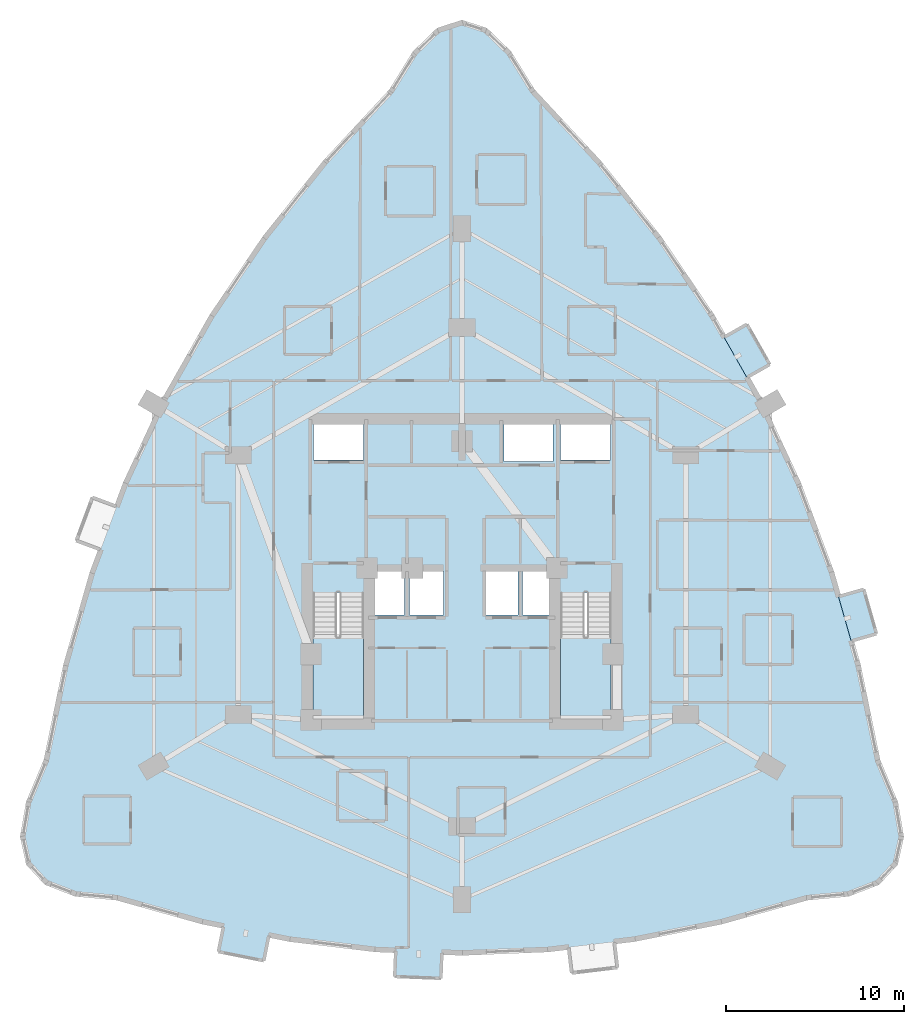
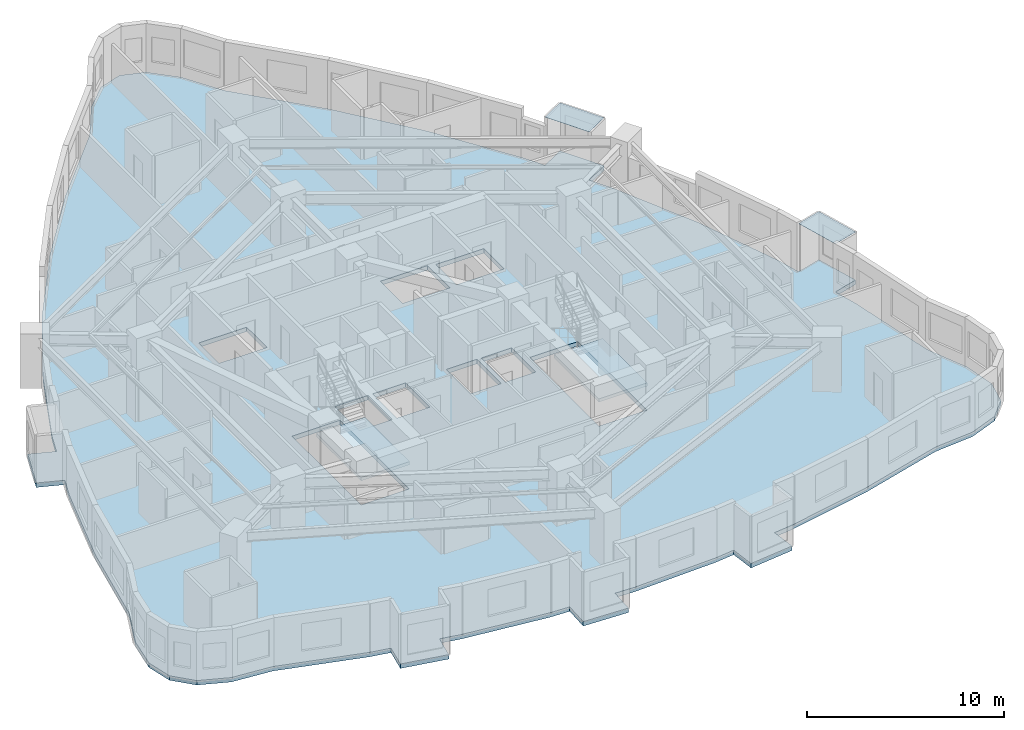
# One storey, part 4 of 13: 3 slabs, 2 plates, 2 elements without a shape of their own.
"""IFC4 building model written with IfcOpenShell, lengths in metres."""

from ifc_helpers import new_model, si_unit, direction, frame, origin, place, context, subcontext, project, spatial, polyline, outline, extrude, material, layer, layer_set, type_object, element, aggregate, save


model = new_model("IFC4")

# Units and contexts
model_context = context("Model", 3, precision=1e-05, world=origin(), true_north=direction((0.0, 1.0)))
body_context = subcontext(model_context, "Body", "Model", "MODEL_VIEW")
ifc_project = project(units=[si_unit("LENGTHUNIT", "METRE"), si_unit("AREAUNIT", "SQUARE_METRE"), si_unit("VOLUMEUNIT", "CUBIC_METRE"), si_unit("PLANEANGLEUNIT", "RADIAN"), si_unit("MASSUNIT", "GRAM", prefix="KILO")], contexts=[model_context])

# Site, building, storey
site_placement = place(None, origin())
site = spatial("IfcSite", under=ifc_project, at=site_placement, CompositionType="ELEMENT")
building_placement = place(site_placement, origin())
building = spatial("IfcBuilding", under=site, at=building_placement, Name="Miruveldt Soraemaru", CompositionType="ELEMENT")
storey_placement = place(building_placement, frame((0.0, 0.0, 49.60009765625)))
storey = spatial("IfcBuildingStorey", under=building, at=storey_placement, Name="L13", CompositionType="ELEMENT", Elevation=49.60009765625)

# Plates
ifc_material_1 = material(Name="Standing-seam titanium-zinc sheet", Category="aluminium")
ifc_layer_1 = layer(ifc_material_1, 0.011962890625, Name="Standing-seam titanium-zinc sheet", Category="aluminium")
ifc_layer_set_1 = layer_set([ifc_layer_1], Name="Standing-seam titanium-zinc sheet")
plate_type = type_object("IfcPlateType", Name="PLT-ZINC-12", PredefinedType="SHEET", material=ifc_layer_set_1)
plate_1_placement = place(storey_placement, frame((0.0, 0.0, 2.974853515625)))
element("IfcPlate", 1, at=plate_1_placement, inside=storey, type_object=plate_type, Name="L13 Bay Window Zinc Hood Sheet 5", PredefinedType="SHEET", context=body_context, shape_type="SweptSolid", body=[
    extrude(outline(polyline([(65.91357421875, 39.944091796875), (65.198486328125, 42.44384765625), (66.62158203125, 42.850830078125), (67.33642578125, 40.35107421875), (65.91357421875, 39.944091796875)])), origin(), (0.0, 0.0, 1.0), 0.011962890625),
])
plate_2_placement = place(storey_placement, frame((0.0, 0.0, 2.974853515625)))
element("IfcPlate", 2, at=plate_2_placement, inside=storey, type_object=plate_type, Name="L13 Bay Window Zinc Hood Sheet 6", PredefinedType="SHEET", context=body_context, shape_type="SweptSolid", body=[
    extrude(outline(polyline([(60.039794921875, 54.785400390625), (58.75732421875, 57.046875), (60.044677734375, 57.77685546875), (61.327392578125, 55.515380859375), (60.039794921875, 54.785400390625)])), origin(), (0.0, 0.0, 1.0), 0.011962890625),
])

# Stair, slab
ifc_material_2 = material(Name="Concrete C40/50 (40 MPa)", Category="concrete")
stair_type = type_object("IfcStairType", Name="STAIR-DL-340", PredefinedType="HALF_TURN_STAIR", material=ifc_material_2)
stair_1_placement = place(storey_placement, origin())
stair_1 = element("IfcStair", 3, at=stair_1_placement, inside=storey, type_object=stair_type, Name="L13 Protected Exit Stair ST-1", PredefinedType="HALF_TURN_STAIR")
ifc_layer_2 = layer(ifc_material_2, 0.199951171875, Name="Concrete C40/50 (40 MPa)", Category="concrete")
ifc_layer_set_2 = layer_set([ifc_layer_2], Name="Concrete C40/50 (40 MPa)")
slab_type_1 = type_object("IfcSlabType", Name="SLAB-LAND-200", PredefinedType="LANDING", material=ifc_layer_set_2)
slab_1_placement = place(storey_placement, frame((0.0, 0.0, 1.5)))
slab_1 = element("IfcSlab", 4, at=slab_1_placement, type_object=slab_type_1, Name="ST-1 landing 1", PredefinedType="LANDING", context=body_context, shape_type="SweptSolid", body=[
    extrude(outline(polyline([(35.60009765625, 40.197998046875), (35.60009765625, 35.64990234375), (38.449951171875, 35.64990234375), (38.449951171875, 40.197998046875), (35.60009765625, 40.197998046875)])), origin(), (0.0, 0.0, 1.0), 0.199951171875),
])
aggregate(stair_1, [slab_1])

stair_2_placement = place(storey_placement, origin())
stair_2 = element("IfcStair", 5, at=stair_2_placement, inside=storey, type_object=stair_type, Name="L13 Protected Exit Stair ST-2", PredefinedType="HALF_TURN_STAIR")
slab_2_placement = place(storey_placement, frame((0.0, 0.0, 1.5)))
slab_2 = element("IfcSlab", 6, at=slab_2_placement, type_object=slab_type_1, Name="ST-2 landing 1", PredefinedType="LANDING", context=body_context, shape_type="SweptSolid", body=[
    extrude(outline(polyline([(49.550048828125, 40.197998046875), (49.550048828125, 35.64990234375), (52.39990234375, 35.64990234375), (52.39990234375, 40.197998046875), (49.550048828125, 40.197998046875)])), origin(), (0.0, 0.0, 1.0), 0.199951171875),
])
aggregate(stair_2, [slab_2])

# Slab
ifc_layer_3 = layer(ifc_material_2, 0.27490234375, Name="Concrete C40/50 (40 MPa)", Category="concrete")
ifc_layer_set_3 = layer_set([ifc_layer_3], Name="Concrete C40/50 (40 MPa)")
slab_type_2 = type_object("IfcSlabType", Name="SLAB-RES1-275", PredefinedType="FLOOR", material=ifc_layer_set_3)
slab_3_placement = place(storey_placement, frame((0.0, 0.0, -0.275146484375)))
element("IfcSlab", 7, at=slab_3_placement, inside=storey, type_object=slab_type_2, Name="L13 Structural Floor Slab", PredefinedType="FLOOR", context=body_context, shape_type="SweptSolid", body=[
    extrude(outline(polyline([(40.21240234375, 21.05419921875), (40.271484375, 22.532958984375), (39.14111328125, 22.578125), (34.281982421875, 23.1611328125), (31.852294921875, 23.647216796875), (33.127197265625, 23.39208984375), (32.8369140625, 21.94091796875), (30.287353515625, 22.45068359375), (30.57763671875, 23.902099609375), (29.4228515625, 24.133056640625), (24.563720703125, 25.493408203125), (22.24609375, 25.70751953125), (20.590576171875, 26.349853515625), (19.597412109375, 27.42041015625), (19.26611328125, 28.919189453125), (19.597412109375, 30.845947265625), (20.590576171875, 33.201171875), (21.700439453125, 38.594482421875), (23.1875, 43.79345703125), (24.119384765625, 46.295654296875), (23.66552734375, 45.077392578125), (22.27880859375, 45.593994140625), (23.186279296875, 48.030517578125), (24.5732421875, 47.513916015625), (25.051513671875, 48.7978515625), (27.29248046875, 53.608154296875), (29.910400390625, 58.22412109375), (32.905517578125, 62.6455078125), (36.277587890625, 66.87255859375), (40.02685546875, 70.9052734375), (41.351318359375, 73.04638671875), (42.675537109375, 74.330810546875), (44.0, 74.759033203125), (45.324462890625, 74.330810546875), (46.648681640625, 73.04638671875), (47.97314453125, 70.9052734375), (51.722412109375, 66.87255859375), (55.094482421875, 62.6455078125), (58.089599609375, 58.22412109375), (59.398681640625, 55.916015625), (58.75732421875, 57.046875), (60.044677734375, 57.77685546875), (61.327392578125, 55.515380859375), (60.039794921875, 54.785400390625), (60.70751953125, 53.608154296875), (62.948486328125, 48.7978515625), (64.8125, 43.79345703125), (65.198486328125, 42.44384765625), (66.62158203125, 42.850830078125), (67.33642578125, 40.35107421875), (65.91357421875, 39.944091796875), (66.299560546875, 38.594482421875), (67.409423828125, 33.201171875), (68.402587890625, 30.845947265625), (68.73388671875, 28.919189453125), (68.402587890625, 27.42041015625), (67.409423828125, 26.349853515625), (65.75390625, 25.70751953125), (63.436279296875, 25.493408203125), (58.5771484375, 24.133056640625), (53.718017578125, 23.1611328125), (51.28857421875, 22.86962890625), (52.579345703125, 23.0244140625), (52.755615234375, 21.554931640625), (50.174072265625, 21.245361328125), (49.997802734375, 22.71484375), (48.85888671875, 22.578125), (44.0, 22.3837890625), (41.570556640625, 22.48095703125), (42.869384765625, 22.428955078125), (42.810302734375, 20.9501953125), (40.21240234375, 21.05419921875)]), holes=[polyline([(35.614990234375, 35.6650390625), (38.43505859375, 35.6650390625), (38.43505859375, 42.68505859375), (35.614990234375, 42.68505859375), (35.614990234375, 35.6650390625)]), polyline([(49.56494140625, 35.6650390625), (52.385009765625, 35.6650390625), (52.385009765625, 42.68505859375), (49.56494140625, 42.68505859375), (49.56494140625, 35.6650390625)]), polyline([(40.764892578125, 41.4150390625), (40.764892578125, 43.885009765625), (38.81494140625, 43.885009765625), (38.81494140625, 41.4150390625), (40.764892578125, 41.4150390625)]), polyline([(42.965087890625, 41.4150390625), (42.965087890625, 43.885009765625), (41.034912109375, 43.885009765625), (41.034912109375, 41.4150390625), (42.965087890625, 41.4150390625)]), polyline([(47.1650390625, 41.4150390625), (47.1650390625, 43.885009765625), (45.364990234375, 43.885009765625), (45.364990234375, 41.4150390625), (47.1650390625, 41.4150390625)]), polyline([(49.18505859375, 41.4150390625), (49.18505859375, 43.885009765625), (47.39501953125, 43.885009765625), (47.39501953125, 41.4150390625), (49.18505859375, 41.4150390625)]), polyline([(38.445068359375, 50.135009765625), (38.445068359375, 52.205078125), (35.635009765625, 52.205078125), (35.635009765625, 50.135009765625), (38.445068359375, 50.135009765625)]), polyline([(49.554931640625, 50.135009765625), (52.364990234375, 50.135009765625), (52.364990234375, 52.205078125), (49.554931640625, 52.205078125), (49.554931640625, 50.135009765625)]), polyline([(46.364990234375, 50.06494140625), (49.135009765625, 50.06494140625), (49.135009765625, 52.3349609375), (46.364990234375, 52.3349609375), (46.364990234375, 50.06494140625)])]), origin(), (0.0, 0.0, 1.0), 0.275146484375),
])

save(model, "model.ifc")
